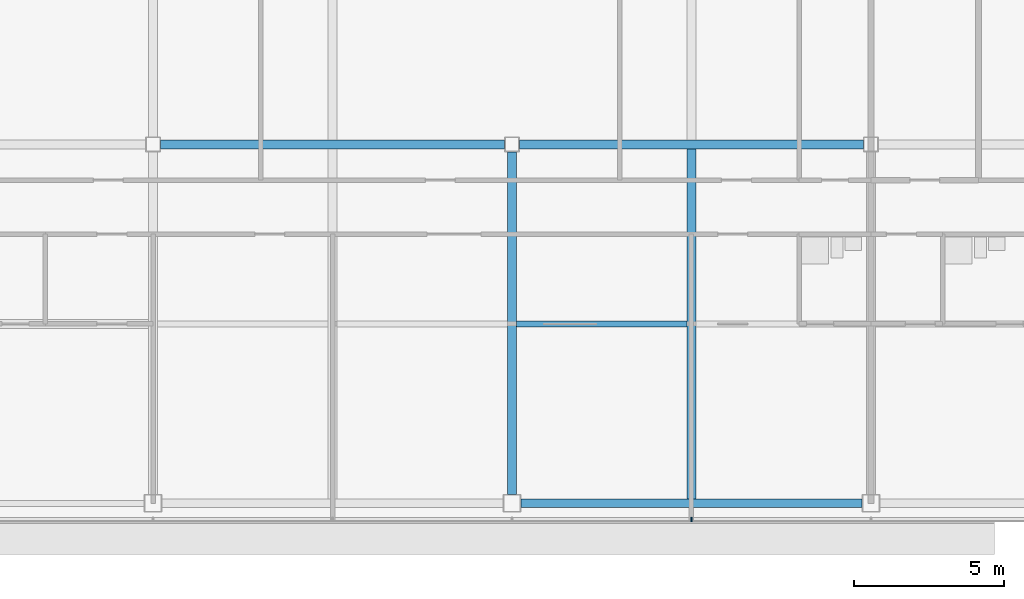
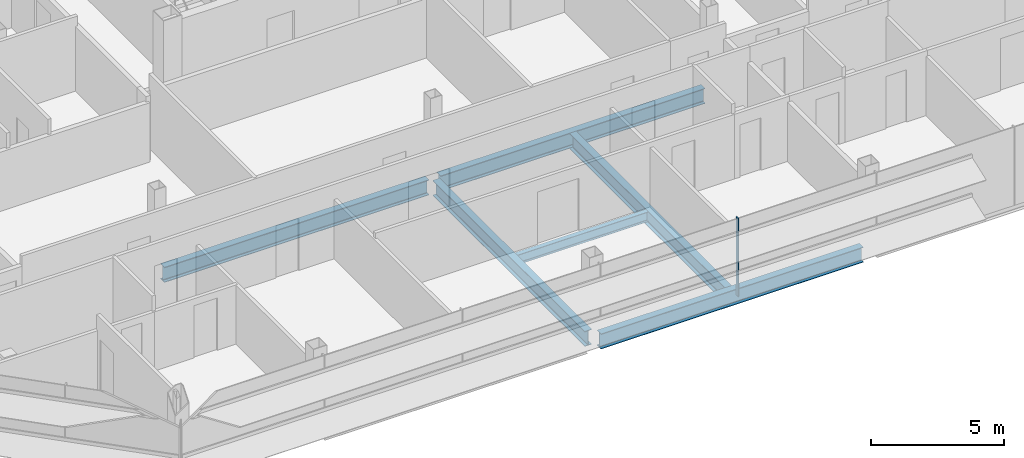
# One storey, part 4 of 28: 6 beams, 1 member, 1 element without a shape of its own.
"""IFC4 building model written with IfcOpenShell, lengths in metres."""

from ifc_helpers import new_model, si_unit, direction, frame, origin, origin_2d, place, context, subcontext, project, spatial, rectangle, i_section, extrude, material, material_profile, profile_set, type_object, element, aggregate, save


model = new_model("IFC4")

# Units and contexts
model_context = context("Model", 3, precision=1e-05, world=origin(), true_north=direction((0.0, 1.0)))
body_context = subcontext(model_context, "Body", "Model", "MODEL_VIEW")
ifc_project = project(units=[si_unit("LENGTHUNIT", "METRE"), si_unit("AREAUNIT", "SQUARE_METRE"), si_unit("VOLUMEUNIT", "CUBIC_METRE"), si_unit("PLANEANGLEUNIT", "RADIAN"), si_unit("MASSUNIT", "GRAM", prefix="KILO")], contexts=[model_context])

# Site, building, storey
site_placement = place(None, origin())
site = spatial("IfcSite", under=ifc_project, at=site_placement, CompositionType="ELEMENT")
building_placement = place(site_placement, origin())
building = spatial("IfcBuilding", under=site, at=building_placement, Name="Sorahane Residences", CompositionType="ELEMENT")
storey_placement = place(building_placement, frame((0.0, 0.0, 266.60009765625)))
storey = spatial("IfcBuildingStorey", under=building, at=storey_placement, Name="L63", CompositionType="ELEMENT", Elevation=266.60009765625)

# Curtain wall, member
ifc_material_1 = material(Name="Dark low-e glass and black anodised aluminium", Category="aluminium")
curtain_wall_type = type_object("IfcCurtainWallType", Name="Curtain wall CW-1 Typical unitised wall", PredefinedType="NOTDEFINED", material=ifc_material_1)
curtain_wall_placement = place(storey_placement, origin())
curtain_wall = element("IfcCurtainWall", 1, at=curtain_wall_placement, inside=storey, type_object=curtain_wall_type, Name="CW-1 curtain wall L63 S1", PredefinedType="NOTDEFINED")
ifc_material_2 = material(Name="Black anodised aluminium", Category="aluminium")
ifc_material_profile_1 = material_profile(ifc_material_2, rectangle(XDim=0.159912109375, YDim=0.050048828125, at=origin_2d()), Name="Curtain wall mullion CW-1 black anodised aluminium 50x160")
ifc_profile_set_1 = profile_set([ifc_material_profile_1], Name="Black anodised aluminium")
member_type = type_object("IfcMemberType", Name="Curtain wall mullion CW-1 black anodised aluminium 50x160", PredefinedType="MULLION", material=ifc_profile_set_1)
member_placement = place(storey_placement, frame((18.0, -0.5400390625, -0.18017578125), z_axis=(0.0, 0.0, 1.0), x_axis=(0.0, -1.0, 0.0)))
member = element("IfcMember", 2, at=member_placement, type_object=member_type, Name="CW-1 mullion L63 S1.5", PredefinedType="MULLION", context=body_context, shape_type="SweptSolid", body=[
    extrude(rectangle(XDim=0.159912109375, YDim=0.050048828125, at=origin_2d()), origin(), (0.0, 0.0, 1.0), 3.60009765625),
])
aggregate(curtain_wall, [member])

# Beams
ifc_material_3 = material(Name="Steel Q355B", Category="steel")
ifc_material_profile_2 = material_profile(ifc_material_3, i_section(OverallWidth=0.199951171875, OverallDepth=0.449951171875, WebThickness=0.009033203125, FlangeThickness=0.013916015625, FilletRadius=0.02001953125, at=origin_2d()), Name="HN 450x200x9x14")
ifc_profile_set_2 = profile_set([ifc_material_profile_2], Name="Steel Q355B")
beam_type_1 = type_object("IfcBeamType", Name="Steel floor beam HN 450x200x9x14 Q355B", PredefinedType="BEAM", material=ifc_profile_set_2)
beam_1_placement = place(storey_placement, frame((12.14990234375, 6.0, -0.405029296875), z_axis=(1.0, 0.0, 0.0), x_axis=(0.0, 1.0, 0.0)))
element("IfcBeam", 3, at=beam_1_placement, inside=storey, type_object=beam_type_1, Name="Beam L63 071", PredefinedType="BEAM", context=body_context, shape_type="SweptSolid", body=[
    extrude(i_section(OverallWidth=0.199951171875, OverallDepth=0.449951171875, WebThickness=0.009033203125, FlangeThickness=0.013916015625, FilletRadius=0.02001953125, at=origin_2d()), origin(), (0.0, 0.0, 1.0), 5.7001953125),
])
ifc_material_4 = material(Name="Steel Q355B", Category="steel")
ifc_material_profile_3 = material_profile(ifc_material_4, i_section(OverallWidth=0.300048828125, OverallDepth=0.699951171875, WebThickness=0.012939453125, FlangeThickness=0.02392578125, FilletRadius=0.028076171875, at=origin_2d()), Name="HN 700x300x13x24")
ifc_profile_set_3 = profile_set([ifc_material_profile_3], Name="Steel Q355B")
beam_type_2 = type_object("IfcBeamType", Name="Steel floor beam HN 700x300x13x24 Q355B", PredefinedType="BEAM", material=ifc_profile_set_3)
beam_2_placement = place(storey_placement, frame((12.300048828125, 0.0, -0.530029296875), z_axis=(1.0, 0.0, 0.0), x_axis=(0.0, 1.0, 0.0)))
element("IfcBeam", 4, at=beam_2_placement, inside=storey, type_object=beam_type_2, Name="Beam L63 002", PredefinedType="BEAM", context=body_context, shape_type="SweptSolid", body=[
    extrude(i_section(OverallWidth=0.300048828125, OverallDepth=0.699951171875, WebThickness=0.012939453125, FlangeThickness=0.02392578125, FilletRadius=0.028076171875, at=origin_2d()), origin(), (0.0, 0.0, 1.0), 11.39990234375),
])
for number, where, z_axis, x_axis, name in (
    (5, (0.25, 12.0, -0.530029296875), (1.0, 0.0, 0.0), (0.0, 1.0, 0.0), "Beam L63 006"),
    (6, (12.25, 12.0, -0.530029296875), (1.0, 0.0, 0.0), (0.0, 1.0, 0.0), "Beam L63 007"),
):
    element("IfcBeam", number, at=place(storey_placement, frame(where, z_axis=z_axis, x_axis=x_axis)), inside=storey, type_object=beam_type_2, Name=name, PredefinedType="BEAM", context=body_context, shape_type="SweptSolid", body=[
        extrude(i_section(OverallWidth=0.300048828125, OverallDepth=0.699951171875, WebThickness=0.012939453125, FlangeThickness=0.02392578125, FilletRadius=0.028076171875, at=origin_2d()), origin(), (0.0, 0.0, 1.0), 11.5),
    ])
beam_3_placement = place(storey_placement, frame((12.0, 0.300048828125, -0.530029296875), z_axis=(0.0, 1.0, 0.0), x_axis=(-1.0, 0.0, 0.0)))
element("IfcBeam", 7, at=beam_3_placement, inside=storey, type_object=beam_type_2, Name="Beam L63 034", PredefinedType="BEAM", context=body_context, shape_type="SweptSolid", body=[
    extrude(i_section(OverallWidth=0.300048828125, OverallDepth=0.699951171875, WebThickness=0.012939453125, FlangeThickness=0.02392578125, FilletRadius=0.028076171875, at=origin_2d()), origin(), (0.0, 0.0, 1.0), 11.449951171875),
])
beam_4_placement = place(storey_placement, frame((18.0, 0.14990234375, -0.530029296875), z_axis=(0.0, 1.0, 0.0), x_axis=(-1.0, 0.0, 0.0)))
element("IfcBeam", 8, at=beam_4_placement, inside=storey, type_object=beam_type_2, Name="Beam L63 036", PredefinedType="BEAM", context=body_context, shape_type="SweptSolid", body=[
    extrude(i_section(OverallWidth=0.300048828125, OverallDepth=0.699951171875, WebThickness=0.012939453125, FlangeThickness=0.02392578125, FilletRadius=0.028076171875, at=origin_2d()), origin(), (0.0, 0.0, 1.0), 11.7001953125),
])

save(model, "model.ifc")
